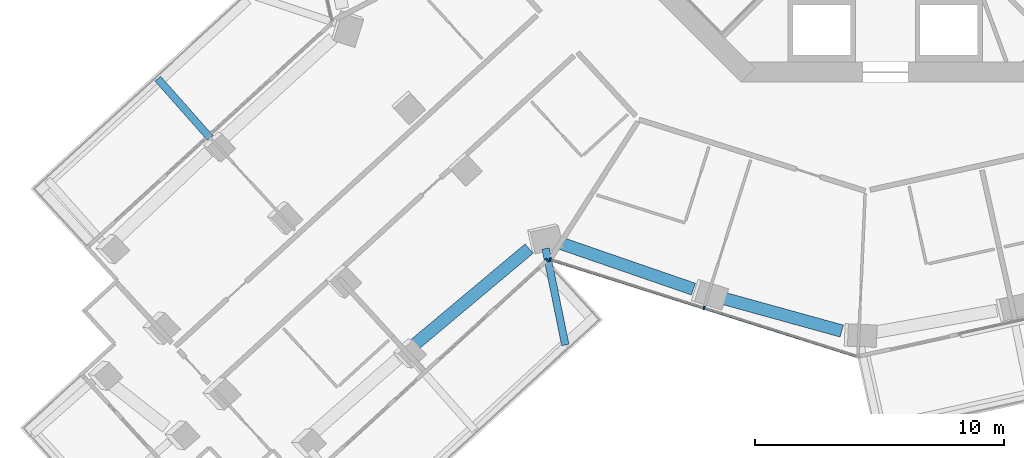
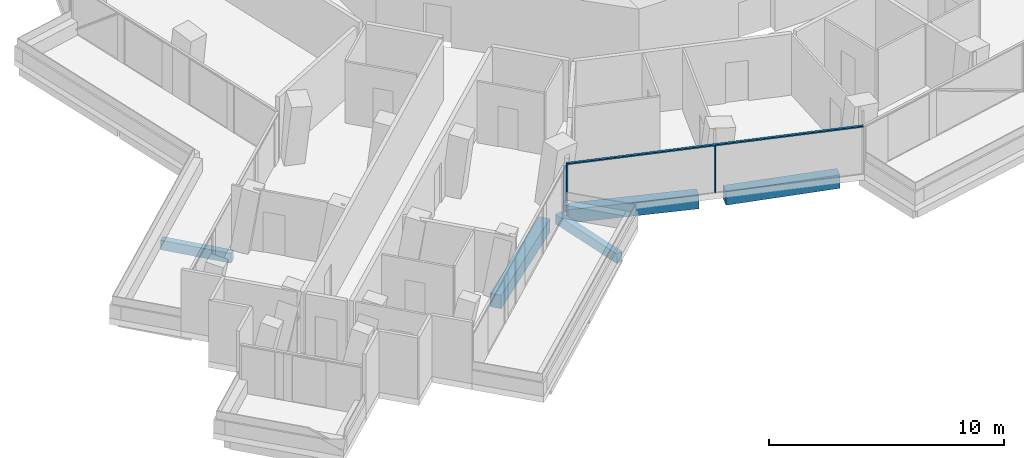
# One storey, part 3 of 24: 5 beams, 4 members, 2 elements without a shape of their own.
"""IFC4 building model written with IfcOpenShell, lengths in metres."""

from ifc_helpers import new_model, si_unit, direction, frame, origin, origin_2d, place, context, subcontext, project, spatial, rectangle, extrude, material, layer, layer_set, material_profile, profile_set, type_object, element, aggregate, save


model = new_model("IFC4")

# Units and contexts
model_context = context("Model", 3, precision=1e-05, world=origin(), true_north=direction((0.0, 1.0)))
body_context = subcontext(model_context, "Body", "Model", "MODEL_VIEW")
ifc_project = project(units=[si_unit("LENGTHUNIT", "METRE"), si_unit("AREAUNIT", "SQUARE_METRE"), si_unit("VOLUMEUNIT", "CUBIC_METRE"), si_unit("PLANEANGLEUNIT", "RADIAN"), si_unit("MASSUNIT", "GRAM", prefix="KILO")], contexts=[model_context])

# Site, building, storey
site_placement = place(None, origin())
site = spatial("IfcSite", under=ifc_project, at=site_placement, CompositionType="ELEMENT")
building_placement = place(site_placement, origin())
building = spatial("IfcBuilding", under=site, at=building_placement, Name="Verdalira Terraces Hotel", CompositionType="ELEMENT")
storey_placement = place(building_placement, frame((0.0, 0.0, 86.0)))
storey = spatial("IfcBuildingStorey", under=building, at=storey_placement, Name="L19", CompositionType="ELEMENT", Elevation=86.0)

# Beams
ifc_material_1 = material(Name="Concrete C40", Category="concrete")
ifc_material_profile_1 = material_profile(ifc_material_1, rectangle(XDim=0.300049, YDim=0.5, at=origin_2d()), Name="RC 300X500")
ifc_profile_set_1 = profile_set([ifc_material_profile_1], Name="Concrete C40")
beam_type_1 = type_object("IfcBeamType", Name="Balcony cantilever beam RC 300X500 C40", PredefinedType="BEAM", material=ifc_profile_set_1)
beam_1_placement = place(storey_placement, frame((-27.106201, -16.234863, -0.560059), z_axis=(-0.662879769, 0.748725859, 0.0), x_axis=(-0.748725859, -0.662879769, 0.0)))
element("IfcBeam", 1, at=beam_1_placement, inside=storey, type_object=beam_type_1, Name="Balcony cantilever beam R13-1", PredefinedType="BEAM", context=body_context, shape_type="SweptSolid", body=[
    extrude(rectangle(XDim=0.300049, YDim=0.5, at=origin_2d()), origin(), (0.0, 0.0, 1.0), 3.168213),
])
beam_2_placement = place(storey_placement, frame((-13.636719, -20.678223, -0.560059), z_axis=(0.199704491, -0.979856171, 0.0), x_axis=(0.979856171, 0.199704491, 0.0)))
element("IfcBeam", 2, at=beam_2_placement, inside=storey, type_object=beam_type_1, Name="Balcony cantilever beam R24-3", PredefinedType="BEAM", context=body_context, shape_type="SweptSolid", body=[
    extrude(rectangle(XDim=0.300049, YDim=0.5, at=origin_2d()), origin(), (0.0, 0.0, 1.0), 3.949951),
])

# Curtain wall, members
ifc_material_2 = material(Name="Clear glass", Category="glass")
ifc_layer_1 = layer(ifc_material_2, 0.14990234375)
ifc_layer_set_1 = layer_set([ifc_layer_1], Name="CW1 curtain wall")
curtain_wall_type_1 = type_object("IfcCurtainWallType", Name="CW1 curtain wall", PredefinedType="NOTDEFINED", material=ifc_layer_set_1)
curtain_wall_1_placement = place(storey_placement, origin())
curtain_wall_1 = element("IfcCurtainWall", 3, at=curtain_wall_1_placement, inside=storey, type_object=curtain_wall_type_1, Name="CW1 curtain wall L19 edge 25", PredefinedType="NOTDEFINED")
ifc_material_3 = material(Name="Terracotta frame", Category="masonry")
ifc_material_profile_2 = material_profile(ifc_material_3, rectangle(XDim=0.060059, YDim=0.149902, at=origin_2d()), Name="MU 60x150")
ifc_profile_set_2 = profile_set([ifc_material_profile_2], Name="Terracotta frame")
member_type_1 = type_object("IfcMemberType", Name="CW1 mullion 60x150", PredefinedType="MULLION", material=ifc_profile_set_2)
member_1_placement = place(storey_placement, frame((-13.449951, -21.11377, 0.0), z_axis=(0.0, 0.0, 1.0), x_axis=(0.953611927, -0.301038691, 0.0)))
member_1 = element("IfcMember", 4, at=member_1_placement, type_object=member_type_1, Name="CW1 mullion", PredefinedType="MULLION", context=body_context, shape_type="SweptSolid", body=[
    extrude(rectangle(XDim=0.060059, YDim=0.149902, at=origin_2d()), origin(), (0.0, 0.0, 1.0), 2.425049),
])
member_2_placement = place(storey_placement, frame((-7.280029, -23.061523, 0.0), z_axis=(0.0, 0.0, 1.0), x_axis=(0.953611927, -0.301038691, 0.0)))
member_2 = element("IfcMember", 5, at=member_2_placement, type_object=member_type_1, Name="CW1 mullion", PredefinedType="MULLION", context=body_context, shape_type="SweptSolid", body=[
    extrude(rectangle(XDim=0.060059, YDim=0.149902, at=origin_2d()), origin(), (0.0, 0.0, 1.0), 2.425049),
])
ifc_material_4 = material(Name="Terracotta frame", Category="masonry")
ifc_material_profile_3 = material_profile(ifc_material_4, rectangle(XDim=0.110107, YDim=0.064941, at=origin_2d()), Name="TR 65x110")
ifc_profile_set_3 = profile_set([ifc_material_profile_3], Name="Terracotta frame")
member_type_2 = type_object("IfcMemberType", Name="CW1 transom 65x110", PredefinedType="USERDEFINED", material=ifc_profile_set_3)
member_3_placement = place(storey_placement, frame((-13.478516, -21.104736, 2.45752), z_axis=(0.95361284, -0.301035799, 0.0), x_axis=(0.301035799, 0.95361284, 0.0)))
member_3 = element("IfcMember", 6, at=member_3_placement, type_object=member_type_2, Name="CW1 transom", ObjectType="TRANSOM", PredefinedType="USERDEFINED", context=body_context, shape_type="SweptSolid", body=[
    extrude(rectangle(XDim=0.110107, YDim=0.064941, at=origin_2d()), origin(), (0.0, 0.0, 1.0), 12.959717),
])
aggregate(curtain_wall_1, [member_1, member_2, member_3])

# Curtain wall, member
ifc_material_5 = material(Name="Clear glass", Category="glass")
ifc_layer_2 = layer(ifc_material_5, 0.14990234375)
ifc_layer_set_2 = layer_set([ifc_layer_2], Name="CW2 curtain wall")
curtain_wall_type_2 = type_object("IfcCurtainWallType", Name="CW2 curtain wall", PredefinedType="NOTDEFINED", material=ifc_layer_set_2)
curtain_wall_2_placement = place(storey_placement, origin())
curtain_wall_2 = element("IfcCurtainWall", 7, at=curtain_wall_2_placement, inside=storey, type_object=curtain_wall_type_2, Name="CW2 curtain wall L19 edge 24", PredefinedType="NOTDEFINED")
ifc_material_6 = material(Name="Terracotta frame", Category="masonry")
ifc_material_profile_4 = material_profile(ifc_material_6, rectangle(XDim=0.070068, YDim=0.149902, at=origin_2d()), Name="MU 70x150")
ifc_profile_set_4 = profile_set([ifc_material_profile_4], Name="Terracotta frame")
member_type_3 = type_object("IfcMemberType", Name="CW2 mullion 70x150", PredefinedType="MULLION", material=ifc_profile_set_4)
member_4_placement = place(storey_placement, frame((-13.577637, -21.144531, 0.0), z_axis=(0.0, 0.0, 1.0), x_axis=(0.737513117, 0.675332808, 0.0)))
member_4 = element("IfcMember", 8, at=member_4_placement, type_object=member_type_3, Name="CW2 mullion", PredefinedType="MULLION", context=body_context, shape_type="SweptSolid", body=[
    extrude(rectangle(XDim=0.070068, YDim=0.149902, at=origin_2d()), origin(), (0.0, 0.0, 1.0), 2.425049),
])
aggregate(curtain_wall_2, [member_4])

# Beams
ifc_material_7 = material(Name="Concrete C70", Category="concrete")
ifc_material_profile_5 = material_profile(ifc_material_7, rectangle(XDim=0.5, YDim=0.699951, at=origin_2d()), Name="RC 500X700")
ifc_profile_set_5 = profile_set([ifc_material_profile_5], Name="Concrete C70")
beam_type_2 = type_object("IfcBeamType", Name="Spandrel beam RC 500X700 C70", PredefinedType="SPANDREL", material=ifc_profile_set_5)
beam_3_placement = place(storey_placement, frame((-18.959473, -24.586426, -0.659912), z_axis=(0.766469696, 0.642280472, 0.0), x_axis=(-0.642280472, 0.766469696, 0.0)))
element("IfcBeam", 9, at=beam_3_placement, inside=storey, type_object=beam_type_2, Name="Spandrel beam B14", PredefinedType="SPANDREL", context=body_context, shape_type="SweptSolid", body=[
    extrude(rectangle(XDim=0.5, YDim=0.699951, at=origin_2d()), origin(), (0.0, 0.0, 1.0), 6.076416),
])
beam_4_placement = place(storey_placement, frame((-13.065918, -20.457275, -0.659912), z_axis=(0.945263606, -0.3263077, 0.0), x_axis=(0.3263077, 0.945263606, 0.0)))
element("IfcBeam", 10, at=beam_4_placement, inside=storey, type_object=beam_type_2, Name="Spandrel beam B15", PredefinedType="SPANDREL", context=body_context, shape_type="SweptSolid", body=[
    extrude(rectangle(XDim=0.5, YDim=0.699951, at=origin_2d()), origin(), (0.0, 0.0, 1.0), 5.672119),
])
beam_5_placement = place(storey_placement, frame((-6.580322, -22.656494, -0.659912), z_axis=(0.963864624, -0.266392542, 0.0), x_axis=(0.266392542, 0.963864624, 0.0)))
element("IfcBeam", 11, at=beam_5_placement, inside=storey, type_object=beam_type_2, Name="Spandrel beam B16", PredefinedType="SPANDREL", context=body_context, shape_type="SweptSolid", body=[
    extrude(rectangle(XDim=0.5, YDim=0.699951, at=origin_2d()), origin(), (0.0, 0.0, 1.0), 5.012207),
])

save(model, "model.ifc")
